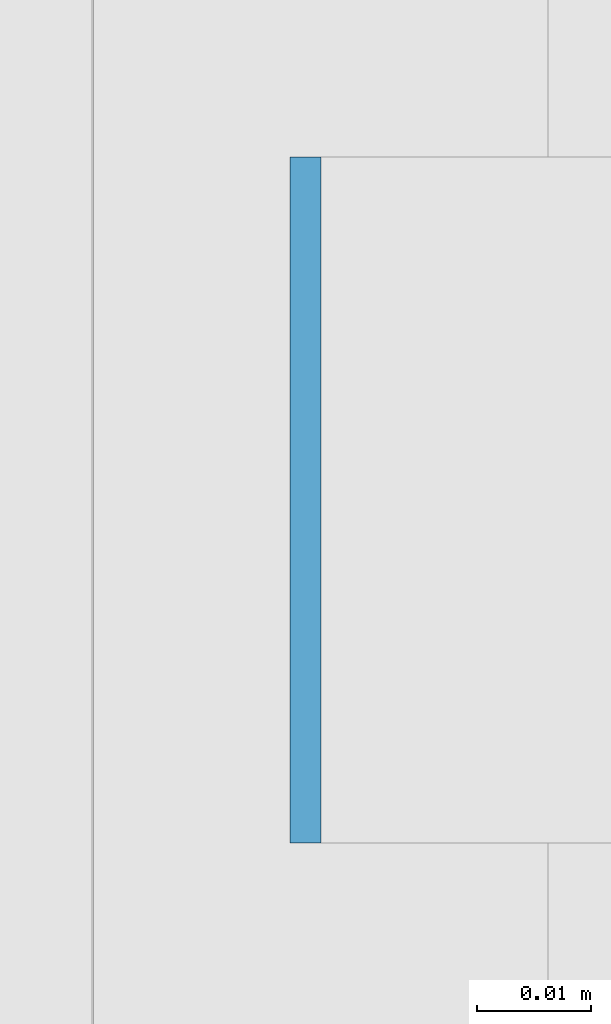
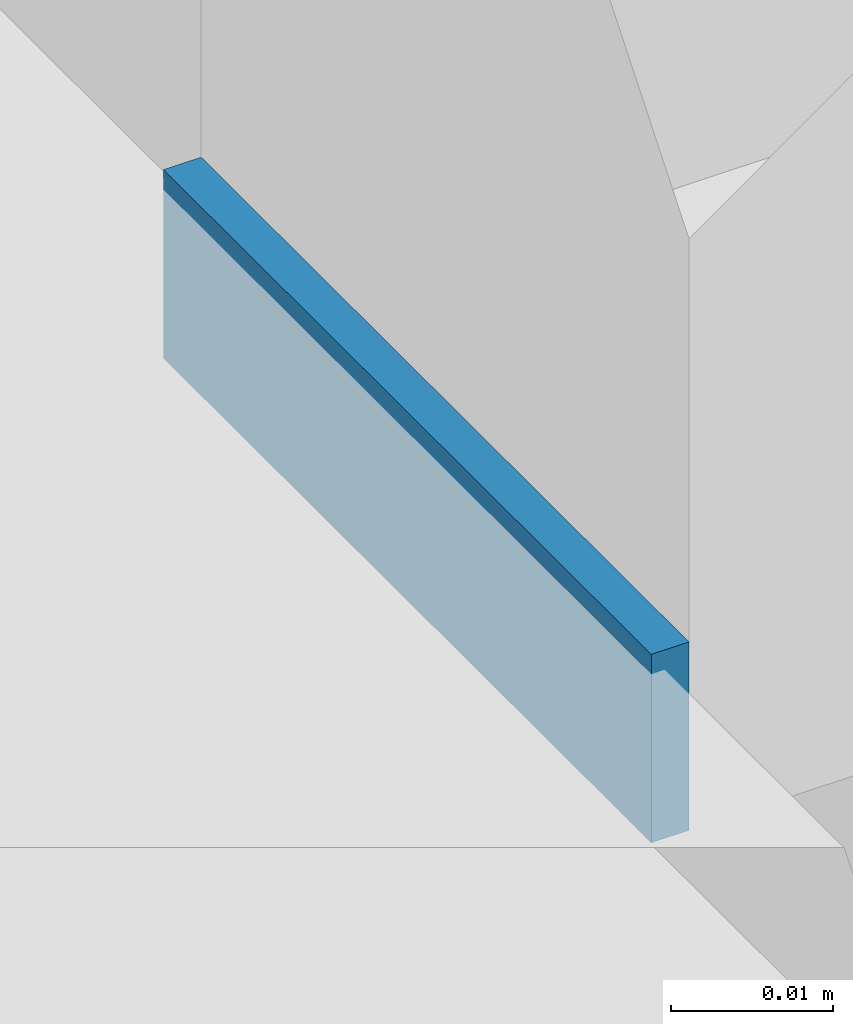
# One storey, part 538 of 646: 1 discrete accessory.
"""IFC4 building model written with IfcOpenShell, lengths in metres."""

from ifc_helpers import new_model, si_unit, direction, frame, origin, origin_2d, place, context, subcontext, project, spatial, rectangle, extrude, material, type_object, element, save


model = new_model("IFC4")

# Units and contexts
model_context = context("Model", 3, precision=1e-05, world=origin(), true_north=direction((0.0, 1.0)))
body_context = subcontext(model_context, "Body", "Model", "MODEL_VIEW")
ifc_project = project(units=[si_unit("LENGTHUNIT", "METRE"), si_unit("AREAUNIT", "SQUARE_METRE"), si_unit("VOLUMEUNIT", "CUBIC_METRE"), si_unit("PLANEANGLEUNIT", "RADIAN"), si_unit("MASSUNIT", "GRAM", prefix="KILO")], contexts=[model_context])

# Site, building, storey
site_placement = place(None, origin())
site = spatial("IfcSite", under=ifc_project, at=site_placement, CompositionType="ELEMENT")
building_placement = place(site_placement, origin())
building = spatial("IfcBuilding", under=site, at=building_placement, Name="Silverbay Arena", CompositionType="ELEMENT")
storey_placement = place(building_placement, frame((0.0, 0.0, 33.5)))
storey = spatial("IfcBuildingStorey", under=building, at=storey_placement, Name="L05", CompositionType="ELEMENT", Elevation=33.5)

# Discrete accessory
ifc_material = material(Name="Steel S355", Category="steel")
discrete_accessory_type = type_object("IfcDiscreteAccessoryType", Name="Steel bracket plate", PredefinedType="BRACKET", material=ifc_material)
discrete_accessory_placement = place(storey_placement, frame((207.128662109375, 88.71435546875, 4.0), z_axis=(0.0, 0.0, 1.0), x_axis=(1.0, 0.0, 0.0)))
element("IfcDiscreteAccessory", 1, at=discrete_accessory_placement, inside=storey, type_object=discrete_accessory_type, Name="Curtain wall packing plate", PredefinedType="BRACKET", context=body_context, shape_type="SweptSolid", body=[
    extrude(rectangle(XDim=0.002685546875, YDim=0.06005859375, at=origin_2d()), origin(), (0.0, 0.0, 1.0), 0.01416015625),
])

save(model, "model.ifc")
